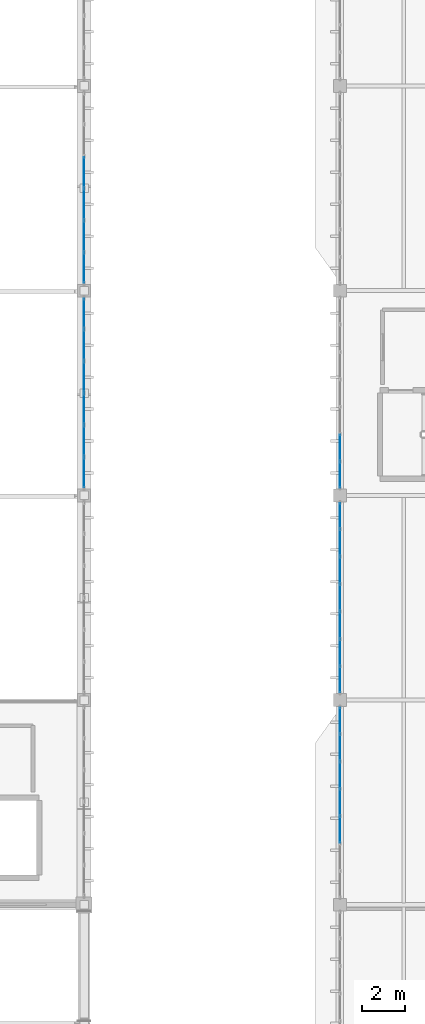
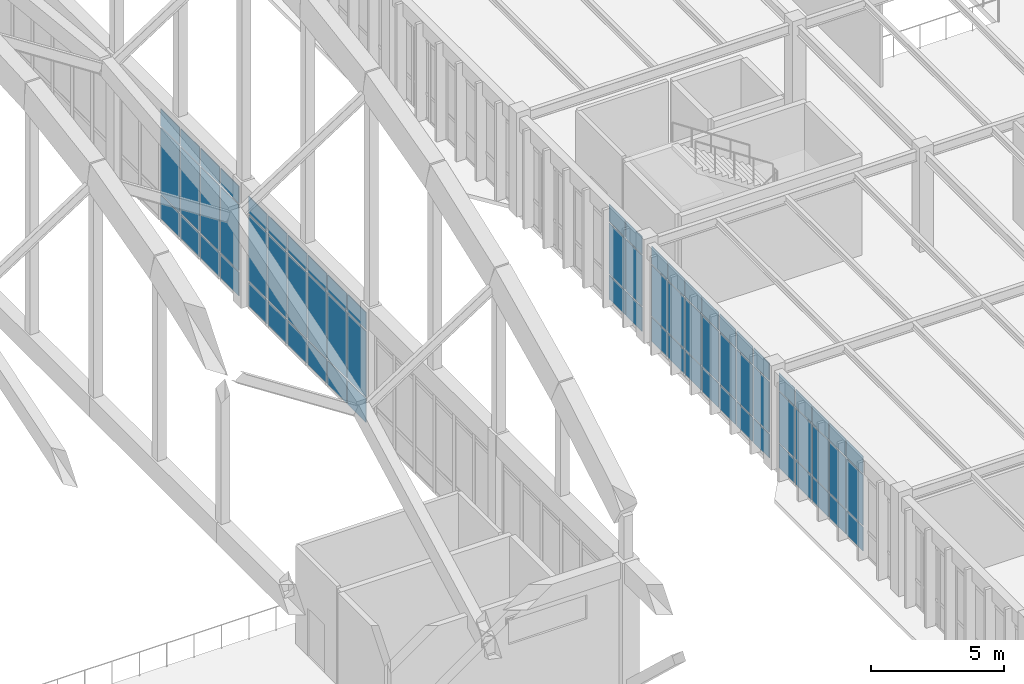
# One storey, part 202 of 236: 72 plates, 5 elements without a shape of their own.
"""IFC4 building model written with IfcOpenShell, lengths in metres."""

from ifc_helpers import new_model, si_unit, direction, frame, origin, origin_2d, place, context, subcontext, project, spatial, rectangle, extrude, material, layer, layer_set, type_object, element, aggregate, save


model = new_model("IFC4")

# Units and contexts
model_context = context("Model", 3, precision=1e-05, world=origin(), true_north=direction((0.0, 1.0)))
body_context = subcontext(model_context, "Body", "Model", "MODEL_VIEW")
ifc_project = project(units=[si_unit("LENGTHUNIT", "METRE"), si_unit("AREAUNIT", "SQUARE_METRE"), si_unit("VOLUMEUNIT", "CUBIC_METRE"), si_unit("PLANEANGLEUNIT", "RADIAN"), si_unit("MASSUNIT", "GRAM", prefix="KILO")], contexts=[model_context])

# Site, building, storey
site_placement = place(None, origin())
site = spatial("IfcSite", under=ifc_project, at=site_placement, CompositionType="ELEMENT")
building_placement = place(site_placement, origin())
building = spatial("IfcBuilding", under=site, at=building_placement, Name="Pandanus Reach Market Hall", CompositionType="ELEMENT")
storey_placement = place(building_placement, frame((0.0, 0.0, 5.39990234375)))
storey = spatial("IfcBuildingStorey", under=building, at=storey_placement, Name="L01", CompositionType="ELEMENT", Elevation=5.39990234375)

# Curtain wall, plates
ifc_material_1 = material(Name="Bronze anodised aluminium and low-E glass", Category="aluminium")
ifc_layer_1 = layer(ifc_material_1, 0.159912109375, Name="CW-29")
ifc_layer_set_1 = layer_set([ifc_layer_1], Name="Bronze anodised aluminium and low-E glass")
curtain_wall_type_1 = type_object("IfcCurtainWallType", Name="CW-29", PredefinedType="NOTDEFINED", material=ifc_layer_set_1)
curtain_wall_1_placement = place(storey_placement, origin())
curtain_wall_1 = element("IfcCurtainWall", 1, at=curtain_wall_1_placement, inside=storey, type_object=curtain_wall_type_1, Name="Glazed curtain wall CW-29 CW-0093", PredefinedType="NOTDEFINED")
ifc_material_2 = material(Name="Solar-control double glazing", Category="glass")
ifc_layer_2 = layer(ifc_material_2, 0.028076171875, Name="CW-P1")
ifc_layer_set_2 = layer_set([ifc_layer_2], Name="Solar-control double glazing")
plate_type_1 = type_object("IfcPlateType", Name="CW-P1", PredefinedType="CURTAIN_PANEL", material=ifc_layer_set_2)
plate_1_placement = place(storey_placement, frame((144.0, 32.314208984375, 0.065185546875), z_axis=(0.0, 0.0, 1.0), x_axis=(0.0, 1.0, 0.0)))
plate_1 = element("IfcPlate", 2, at=plate_1_placement, type_object=plate_type_1, Name="CW-29 panel 3.1", PredefinedType="CURTAIN_PANEL", context=body_context, shape_type="SweptSolid", body=[
    extrude(rectangle(XDim=1.220703125, YDim=0.028076171875, at=origin_2d()), origin(), (0.0, 0.0, 1.0), 1.1025390625),
])
plate_2_placement = place(storey_placement, frame((144.0, 32.314208984375, 1.232666015625), z_axis=(0.0, 0.0, 1.0), x_axis=(0.0, 1.0, 0.0)))
plate_2 = element("IfcPlate", 3, at=plate_2_placement, type_object=plate_type_1, Name="CW-29 panel 3.2", PredefinedType="CURTAIN_PANEL", context=body_context, shape_type="SweptSolid", body=[
    extrude(rectangle(XDim=1.220703125, YDim=0.028076171875, at=origin_2d()), origin(), (0.0, 0.0, 1.0), 2.3349609375),
])
plate_3_placement = place(storey_placement, frame((144.0, 32.314208984375, 3.6328125), z_axis=(0.0, 0.0, 1.0), x_axis=(0.0, 1.0, 0.0)))
plate_3 = element("IfcPlate", 4, at=plate_3_placement, type_object=plate_type_1, Name="CW-29 panel 3.3", PredefinedType="CURTAIN_PANEL", context=body_context, shape_type="SweptSolid", body=[
    extrude(rectangle(XDim=1.220703125, YDim=0.028076171875, at=origin_2d()), origin(), (0.0, 0.0, 1.0), 0.802490234375),
])
plate_4_placement = place(storey_placement, frame((144.0, 33.60009765625, 0.065185546875), z_axis=(0.0, 0.0, 1.0), x_axis=(0.0, 1.0, 0.0)))
plate_4 = element("IfcPlate", 5, at=plate_4_placement, type_object=plate_type_1, Name="CW-29 panel 4.1", PredefinedType="CURTAIN_PANEL", context=body_context, shape_type="SweptSolid", body=[
    extrude(rectangle(XDim=1.220703125, YDim=0.028076171875, at=origin_2d()), origin(), (0.0, 0.0, 1.0), 1.1025390625),
])
plate_5_placement = place(storey_placement, frame((144.0, 33.60009765625, 1.232666015625), z_axis=(0.0, 0.0, 1.0), x_axis=(0.0, 1.0, 0.0)))
plate_5 = element("IfcPlate", 6, at=plate_5_placement, type_object=plate_type_1, Name="CW-29 panel 4.2", PredefinedType="CURTAIN_PANEL", context=body_context, shape_type="SweptSolid", body=[
    extrude(rectangle(XDim=1.220703125, YDim=0.028076171875, at=origin_2d()), origin(), (0.0, 0.0, 1.0), 2.3349609375),
])
plate_6_placement = place(storey_placement, frame((144.0, 33.60009765625, 3.6328125), z_axis=(0.0, 0.0, 1.0), x_axis=(0.0, 1.0, 0.0)))
plate_6 = element("IfcPlate", 7, at=plate_6_placement, type_object=plate_type_1, Name="CW-29 panel 4.3", PredefinedType="CURTAIN_PANEL", context=body_context, shape_type="SweptSolid", body=[
    extrude(rectangle(XDim=1.220703125, YDim=0.028076171875, at=origin_2d()), origin(), (0.0, 0.0, 1.0), 0.802490234375),
])
plate_7_placement = place(storey_placement, frame((144.0, 34.8857421875, 0.065185546875), z_axis=(0.0, 0.0, 1.0), x_axis=(0.0, 1.0, 0.0)))
plate_7 = element("IfcPlate", 8, at=plate_7_placement, type_object=plate_type_1, Name="CW-29 panel 5.1", PredefinedType="CURTAIN_PANEL", context=body_context, shape_type="SweptSolid", body=[
    extrude(rectangle(XDim=1.220703125, YDim=0.028076171875, at=origin_2d()), origin(), (0.0, 0.0, 1.0), 1.1025390625),
])
plate_8_placement = place(storey_placement, frame((144.0, 34.8857421875, 1.232666015625), z_axis=(0.0, 0.0, 1.0), x_axis=(0.0, 1.0, 0.0)))
plate_8 = element("IfcPlate", 9, at=plate_8_placement, type_object=plate_type_1, Name="CW-29 panel 5.2", PredefinedType="CURTAIN_PANEL", context=body_context, shape_type="SweptSolid", body=[
    extrude(rectangle(XDim=1.220703125, YDim=0.028076171875, at=origin_2d()), origin(), (0.0, 0.0, 1.0), 2.3349609375),
])
plate_9_placement = place(storey_placement, frame((144.0, 34.8857421875, 3.6328125), z_axis=(0.0, 0.0, 1.0), x_axis=(0.0, 1.0, 0.0)))
plate_9 = element("IfcPlate", 10, at=plate_9_placement, type_object=plate_type_1, Name="CW-29 panel 5.3", PredefinedType="CURTAIN_PANEL", context=body_context, shape_type="SweptSolid", body=[
    extrude(rectangle(XDim=1.220703125, YDim=0.028076171875, at=origin_2d()), origin(), (0.0, 0.0, 1.0), 0.802490234375),
])
plate_10_placement = place(storey_placement, frame((144.0, 36.17138671875, 0.065185546875), z_axis=(0.0, 0.0, 1.0), x_axis=(0.0, 1.0, 0.0)))
plate_10 = element("IfcPlate", 11, at=plate_10_placement, type_object=plate_type_1, Name="CW-29 panel 6.1", PredefinedType="CURTAIN_PANEL", context=body_context, shape_type="SweptSolid", body=[
    extrude(rectangle(XDim=1.220703125, YDim=0.028076171875, at=origin_2d()), origin(), (0.0, 0.0, 1.0), 1.1025390625),
])
plate_11_placement = place(storey_placement, frame((144.0, 36.17138671875, 1.232666015625), z_axis=(0.0, 0.0, 1.0), x_axis=(0.0, 1.0, 0.0)))
plate_11 = element("IfcPlate", 12, at=plate_11_placement, type_object=plate_type_1, Name="CW-29 panel 6.2", PredefinedType="CURTAIN_PANEL", context=body_context, shape_type="SweptSolid", body=[
    extrude(rectangle(XDim=1.220703125, YDim=0.028076171875, at=origin_2d()), origin(), (0.0, 0.0, 1.0), 2.3349609375),
])
plate_12_placement = place(storey_placement, frame((144.0, 36.17138671875, 3.6328125), z_axis=(0.0, 0.0, 1.0), x_axis=(0.0, 1.0, 0.0)))
plate_12 = element("IfcPlate", 13, at=plate_12_placement, type_object=plate_type_1, Name="CW-29 panel 6.3", PredefinedType="CURTAIN_PANEL", context=body_context, shape_type="SweptSolid", body=[
    extrude(rectangle(XDim=1.220703125, YDim=0.028076171875, at=origin_2d()), origin(), (0.0, 0.0, 1.0), 0.802490234375),
])
plate_13_placement = place(storey_placement, frame((144.0, 37.44091796875, 0.065185546875), z_axis=(0.0, 0.0, 1.0), x_axis=(0.0, 1.0, 0.0)))
plate_13 = element("IfcPlate", 14, at=plate_13_placement, type_object=plate_type_1, Name="CW-29 panel 7.1", PredefinedType="CURTAIN_PANEL", context=body_context, shape_type="SweptSolid", body=[
    extrude(rectangle(XDim=1.188232421875, YDim=0.028076171875, at=origin_2d()), origin(), (0.0, 0.0, 1.0), 1.1025390625),
])
plate_14_placement = place(storey_placement, frame((144.0, 37.44091796875, 1.232666015625), z_axis=(0.0, 0.0, 1.0), x_axis=(0.0, 1.0, 0.0)))
plate_14 = element("IfcPlate", 15, at=plate_14_placement, type_object=plate_type_1, Name="CW-29 panel 7.2", PredefinedType="CURTAIN_PANEL", context=body_context, shape_type="SweptSolid", body=[
    extrude(rectangle(XDim=1.188232421875, YDim=0.028076171875, at=origin_2d()), origin(), (0.0, 0.0, 1.0), 2.3349609375),
])
plate_15_placement = place(storey_placement, frame((144.0, 37.44091796875, 3.6328125), z_axis=(0.0, 0.0, 1.0), x_axis=(0.0, 1.0, 0.0)))
plate_15 = element("IfcPlate", 16, at=plate_15_placement, type_object=plate_type_1, Name="CW-29 panel 7.3", PredefinedType="CURTAIN_PANEL", context=body_context, shape_type="SweptSolid", body=[
    extrude(rectangle(XDim=1.188232421875, YDim=0.028076171875, at=origin_2d()), origin(), (0.0, 0.0, 1.0), 0.802490234375),
])
aggregate(curtain_wall_1, [plate_1, plate_2, plate_3, plate_4, plate_5, plate_6, plate_7, plate_8, plate_9, plate_10, plate_11, plate_12, plate_13, plate_14, plate_15])

curtain_wall_2_placement = place(storey_placement, origin())
curtain_wall_2 = element("IfcCurtainWall", 17, at=curtain_wall_2_placement, inside=storey, type_object=curtain_wall_type_1, Name="Glazed curtain wall CW-29 CW-0094", PredefinedType="NOTDEFINED")
plate_16_placement = place(storey_placement, frame((144.0, 39.359130859375, 0.065185546875), z_axis=(0.0, 0.0, 1.0), x_axis=(0.0, 1.0, 0.0)))
plate_16 = element("IfcPlate", 18, at=plate_16_placement, type_object=plate_type_1, Name="CW-29 panel 1.1", PredefinedType="CURTAIN_PANEL", context=body_context, shape_type="SweptSolid", body=[
    extrude(rectangle(XDim=1.188232421875, YDim=0.028076171875, at=origin_2d()), origin(), (0.0, 0.0, 1.0), 1.1025390625),
])
plate_17_placement = place(storey_placement, frame((144.0, 39.359130859375, 1.232666015625), z_axis=(0.0, 0.0, 1.0), x_axis=(0.0, 1.0, 0.0)))
plate_17 = element("IfcPlate", 19, at=plate_17_placement, type_object=plate_type_1, Name="CW-29 panel 1.2", PredefinedType="CURTAIN_PANEL", context=body_context, shape_type="SweptSolid", body=[
    extrude(rectangle(XDim=1.188232421875, YDim=0.028076171875, at=origin_2d()), origin(), (0.0, 0.0, 1.0), 2.3349609375),
])
plate_18_placement = place(storey_placement, frame((144.0, 39.359130859375, 3.6328125), z_axis=(0.0, 0.0, 1.0), x_axis=(0.0, 1.0, 0.0)))
plate_18 = element("IfcPlate", 20, at=plate_18_placement, type_object=plate_type_1, Name="CW-29 panel 1.3", PredefinedType="CURTAIN_PANEL", context=body_context, shape_type="SweptSolid", body=[
    extrude(rectangle(XDim=1.188232421875, YDim=0.028076171875, at=origin_2d()), origin(), (0.0, 0.0, 1.0), 0.802490234375),
])
plate_19_placement = place(storey_placement, frame((144.0, 40.628662109375, 0.065185546875), z_axis=(0.0, 0.0, 1.0), x_axis=(0.0, 1.0, 0.0)))
plate_19 = element("IfcPlate", 21, at=plate_19_placement, type_object=plate_type_1, Name="CW-29 panel 2.1", PredefinedType="CURTAIN_PANEL", context=body_context, shape_type="SweptSolid", body=[
    extrude(rectangle(XDim=1.220703125, YDim=0.028076171875, at=origin_2d()), origin(), (0.0, 0.0, 1.0), 1.1025390625),
])
plate_20_placement = place(storey_placement, frame((144.0, 40.628662109375, 1.232666015625), z_axis=(0.0, 0.0, 1.0), x_axis=(0.0, 1.0, 0.0)))
plate_20 = element("IfcPlate", 22, at=plate_20_placement, type_object=plate_type_1, Name="CW-29 panel 2.2", PredefinedType="CURTAIN_PANEL", context=body_context, shape_type="SweptSolid", body=[
    extrude(rectangle(XDim=1.220703125, YDim=0.028076171875, at=origin_2d()), origin(), (0.0, 0.0, 1.0), 2.3349609375),
])
plate_21_placement = place(storey_placement, frame((144.0, 40.628662109375, 3.6328125), z_axis=(0.0, 0.0, 1.0), x_axis=(0.0, 1.0, 0.0)))
plate_21 = element("IfcPlate", 23, at=plate_21_placement, type_object=plate_type_1, Name="CW-29 panel 2.3", PredefinedType="CURTAIN_PANEL", context=body_context, shape_type="SweptSolid", body=[
    extrude(rectangle(XDim=1.220703125, YDim=0.028076171875, at=origin_2d()), origin(), (0.0, 0.0, 1.0), 0.802490234375),
])
plate_22_placement = place(storey_placement, frame((144.0, 41.914306640625, 0.065185546875), z_axis=(0.0, 0.0, 1.0), x_axis=(0.0, 1.0, 0.0)))
plate_22 = element("IfcPlate", 24, at=plate_22_placement, type_object=plate_type_1, Name="CW-29 panel 3.1", PredefinedType="CURTAIN_PANEL", context=body_context, shape_type="SweptSolid", body=[
    extrude(rectangle(XDim=1.220703125, YDim=0.028076171875, at=origin_2d()), origin(), (0.0, 0.0, 1.0), 1.1025390625),
])
plate_23_placement = place(storey_placement, frame((144.0, 41.914306640625, 1.232666015625), z_axis=(0.0, 0.0, 1.0), x_axis=(0.0, 1.0, 0.0)))
plate_23 = element("IfcPlate", 25, at=plate_23_placement, type_object=plate_type_1, Name="CW-29 panel 3.2", PredefinedType="CURTAIN_PANEL", context=body_context, shape_type="SweptSolid", body=[
    extrude(rectangle(XDim=1.220703125, YDim=0.028076171875, at=origin_2d()), origin(), (0.0, 0.0, 1.0), 2.3349609375),
])
plate_24_placement = place(storey_placement, frame((144.0, 41.914306640625, 3.6328125), z_axis=(0.0, 0.0, 1.0), x_axis=(0.0, 1.0, 0.0)))
plate_24 = element("IfcPlate", 26, at=plate_24_placement, type_object=plate_type_1, Name="CW-29 panel 3.3", PredefinedType="CURTAIN_PANEL", context=body_context, shape_type="SweptSolid", body=[
    extrude(rectangle(XDim=1.220703125, YDim=0.028076171875, at=origin_2d()), origin(), (0.0, 0.0, 1.0), 0.802490234375),
])
plate_25_placement = place(storey_placement, frame((144.0, 43.199951171875, 0.065185546875), z_axis=(0.0, 0.0, 1.0), x_axis=(0.0, 1.0, 0.0)))
plate_25 = element("IfcPlate", 27, at=plate_25_placement, type_object=plate_type_1, Name="CW-29 panel 4.1", PredefinedType="CURTAIN_PANEL", context=body_context, shape_type="SweptSolid", body=[
    extrude(rectangle(XDim=1.220703125, YDim=0.028076171875, at=origin_2d()), origin(), (0.0, 0.0, 1.0), 1.1025390625),
])
plate_26_placement = place(storey_placement, frame((144.0, 43.199951171875, 1.232666015625), z_axis=(0.0, 0.0, 1.0), x_axis=(0.0, 1.0, 0.0)))
plate_26 = element("IfcPlate", 28, at=plate_26_placement, type_object=plate_type_1, Name="CW-29 panel 4.2", PredefinedType="CURTAIN_PANEL", context=body_context, shape_type="SweptSolid", body=[
    extrude(rectangle(XDim=1.220703125, YDim=0.028076171875, at=origin_2d()), origin(), (0.0, 0.0, 1.0), 2.3349609375),
])
plate_27_placement = place(storey_placement, frame((144.0, 43.199951171875, 3.6328125), z_axis=(0.0, 0.0, 1.0), x_axis=(0.0, 1.0, 0.0)))
plate_27 = element("IfcPlate", 29, at=plate_27_placement, type_object=plate_type_1, Name="CW-29 panel 4.3", PredefinedType="CURTAIN_PANEL", context=body_context, shape_type="SweptSolid", body=[
    extrude(rectangle(XDim=1.220703125, YDim=0.028076171875, at=origin_2d()), origin(), (0.0, 0.0, 1.0), 0.802490234375),
])
plate_28_placement = place(storey_placement, frame((144.0, 44.485595703125, 0.065185546875), z_axis=(0.0, 0.0, 1.0), x_axis=(0.0, 1.0, 0.0)))
plate_28 = element("IfcPlate", 30, at=plate_28_placement, type_object=plate_type_1, Name="CW-29 panel 5.1", PredefinedType="CURTAIN_PANEL", context=body_context, shape_type="SweptSolid", body=[
    extrude(rectangle(XDim=1.220703125, YDim=0.028076171875, at=origin_2d()), origin(), (0.0, 0.0, 1.0), 1.1025390625),
])
plate_29_placement = place(storey_placement, frame((144.0, 44.485595703125, 1.232666015625), z_axis=(0.0, 0.0, 1.0), x_axis=(0.0, 1.0, 0.0)))
plate_29 = element("IfcPlate", 31, at=plate_29_placement, type_object=plate_type_1, Name="CW-29 panel 5.2", PredefinedType="CURTAIN_PANEL", context=body_context, shape_type="SweptSolid", body=[
    extrude(rectangle(XDim=1.220703125, YDim=0.028076171875, at=origin_2d()), origin(), (0.0, 0.0, 1.0), 2.3349609375),
])
plate_30_placement = place(storey_placement, frame((144.0, 44.485595703125, 3.6328125), z_axis=(0.0, 0.0, 1.0), x_axis=(0.0, 1.0, 0.0)))
plate_30 = element("IfcPlate", 32, at=plate_30_placement, type_object=plate_type_1, Name="CW-29 panel 5.3", PredefinedType="CURTAIN_PANEL", context=body_context, shape_type="SweptSolid", body=[
    extrude(rectangle(XDim=1.220703125, YDim=0.028076171875, at=origin_2d()), origin(), (0.0, 0.0, 1.0), 0.802490234375),
])
plate_31_placement = place(storey_placement, frame((144.0, 45.771484375, 0.065185546875), z_axis=(0.0, 0.0, 1.0), x_axis=(0.0, 1.0, 0.0)))
plate_31 = element("IfcPlate", 33, at=plate_31_placement, type_object=plate_type_1, Name="CW-29 panel 6.1", PredefinedType="CURTAIN_PANEL", context=body_context, shape_type="SweptSolid", body=[
    extrude(rectangle(XDim=1.220703125, YDim=0.028076171875, at=origin_2d()), origin(), (0.0, 0.0, 1.0), 1.1025390625),
])
plate_32_placement = place(storey_placement, frame((144.0, 45.771484375, 1.232666015625), z_axis=(0.0, 0.0, 1.0), x_axis=(0.0, 1.0, 0.0)))
plate_32 = element("IfcPlate", 34, at=plate_32_placement, type_object=plate_type_1, Name="CW-29 panel 6.2", PredefinedType="CURTAIN_PANEL", context=body_context, shape_type="SweptSolid", body=[
    extrude(rectangle(XDim=1.220703125, YDim=0.028076171875, at=origin_2d()), origin(), (0.0, 0.0, 1.0), 2.3349609375),
])
plate_33_placement = place(storey_placement, frame((144.0, 45.771484375, 3.6328125), z_axis=(0.0, 0.0, 1.0), x_axis=(0.0, 1.0, 0.0)))
plate_33 = element("IfcPlate", 35, at=plate_33_placement, type_object=plate_type_1, Name="CW-29 panel 6.3", PredefinedType="CURTAIN_PANEL", context=body_context, shape_type="SweptSolid", body=[
    extrude(rectangle(XDim=1.220703125, YDim=0.028076171875, at=origin_2d()), origin(), (0.0, 0.0, 1.0), 0.802490234375),
])
plate_34_placement = place(storey_placement, frame((144.0, 47.040771484375, 0.065185546875), z_axis=(0.0, 0.0, 1.0), x_axis=(0.0, 1.0, 0.0)))
plate_34 = element("IfcPlate", 36, at=plate_34_placement, type_object=plate_type_1, Name="CW-29 panel 7.1", PredefinedType="CURTAIN_PANEL", context=body_context, shape_type="SweptSolid", body=[
    extrude(rectangle(XDim=1.188232421875, YDim=0.028076171875, at=origin_2d()), origin(), (0.0, 0.0, 1.0), 1.1025390625),
])
plate_35_placement = place(storey_placement, frame((144.0, 47.040771484375, 1.232666015625), z_axis=(0.0, 0.0, 1.0), x_axis=(0.0, 1.0, 0.0)))
plate_35 = element("IfcPlate", 37, at=plate_35_placement, type_object=plate_type_1, Name="CW-29 panel 7.2", PredefinedType="CURTAIN_PANEL", context=body_context, shape_type="SweptSolid", body=[
    extrude(rectangle(XDim=1.188232421875, YDim=0.028076171875, at=origin_2d()), origin(), (0.0, 0.0, 1.0), 2.3349609375),
])
plate_36_placement = place(storey_placement, frame((144.0, 47.040771484375, 3.6328125), z_axis=(0.0, 0.0, 1.0), x_axis=(0.0, 1.0, 0.0)))
plate_36 = element("IfcPlate", 38, at=plate_36_placement, type_object=plate_type_1, Name="CW-29 panel 7.3", PredefinedType="CURTAIN_PANEL", context=body_context, shape_type="SweptSolid", body=[
    extrude(rectangle(XDim=1.188232421875, YDim=0.028076171875, at=origin_2d()), origin(), (0.0, 0.0, 1.0), 0.802490234375),
])
aggregate(curtain_wall_2, [plate_16, plate_17, plate_18, plate_19, plate_20, plate_21, plate_22, plate_23, plate_24, plate_25, plate_26, plate_27, plate_28, plate_29, plate_30, plate_31, plate_32, plate_33, plate_34, plate_35, plate_36])

curtain_wall_3_placement = place(storey_placement, origin())
curtain_wall_3 = element("IfcCurtainWall", 39, at=curtain_wall_3_placement, inside=storey, type_object=curtain_wall_type_1, Name="Glazed curtain wall CW-29 CW-0095", PredefinedType="NOTDEFINED")
plate_37_placement = place(storey_placement, frame((144.0, 48.959228515625, 0.065185546875), z_axis=(0.0, 0.0, 1.0), x_axis=(0.0, 1.0, 0.0)))
plate_37 = element("IfcPlate", 40, at=plate_37_placement, type_object=plate_type_1, Name="CW-29 panel 1.1", PredefinedType="CURTAIN_PANEL", context=body_context, shape_type="SweptSolid", body=[
    extrude(rectangle(XDim=1.188232421875, YDim=0.028076171875, at=origin_2d()), origin(), (0.0, 0.0, 1.0), 1.1025390625),
])
plate_38_placement = place(storey_placement, frame((144.0, 48.959228515625, 1.232666015625), z_axis=(0.0, 0.0, 1.0), x_axis=(0.0, 1.0, 0.0)))
plate_38 = element("IfcPlate", 41, at=plate_38_placement, type_object=plate_type_1, Name="CW-29 panel 1.2", PredefinedType="CURTAIN_PANEL", context=body_context, shape_type="SweptSolid", body=[
    extrude(rectangle(XDim=1.188232421875, YDim=0.028076171875, at=origin_2d()), origin(), (0.0, 0.0, 1.0), 2.3349609375),
])
plate_39_placement = place(storey_placement, frame((144.0, 48.959228515625, 3.6328125), z_axis=(0.0, 0.0, 1.0), x_axis=(0.0, 1.0, 0.0)))
plate_39 = element("IfcPlate", 42, at=plate_39_placement, type_object=plate_type_1, Name="CW-29 panel 1.3", PredefinedType="CURTAIN_PANEL", context=body_context, shape_type="SweptSolid", body=[
    extrude(rectangle(XDim=1.188232421875, YDim=0.028076171875, at=origin_2d()), origin(), (0.0, 0.0, 1.0), 0.802490234375),
])
plate_40_placement = place(storey_placement, frame((144.0, 50.228515625, 0.065185546875), z_axis=(0.0, 0.0, 1.0), x_axis=(0.0, 1.0, 0.0)))
plate_40 = element("IfcPlate", 43, at=plate_40_placement, type_object=plate_type_1, Name="CW-29 panel 2.1", PredefinedType="CURTAIN_PANEL", context=body_context, shape_type="SweptSolid", body=[
    extrude(rectangle(XDim=1.220703125, YDim=0.028076171875, at=origin_2d()), origin(), (0.0, 0.0, 1.0), 1.1025390625),
])
plate_41_placement = place(storey_placement, frame((144.0, 50.228515625, 1.232666015625), z_axis=(0.0, 0.0, 1.0), x_axis=(0.0, 1.0, 0.0)))
plate_41 = element("IfcPlate", 44, at=plate_41_placement, type_object=plate_type_1, Name="CW-29 panel 2.2", PredefinedType="CURTAIN_PANEL", context=body_context, shape_type="SweptSolid", body=[
    extrude(rectangle(XDim=1.220703125, YDim=0.028076171875, at=origin_2d()), origin(), (0.0, 0.0, 1.0), 2.3349609375),
])
plate_42_placement = place(storey_placement, frame((144.0, 50.228515625, 3.6328125), z_axis=(0.0, 0.0, 1.0), x_axis=(0.0, 1.0, 0.0)))
plate_42 = element("IfcPlate", 45, at=plate_42_placement, type_object=plate_type_1, Name="CW-29 panel 2.3", PredefinedType="CURTAIN_PANEL", context=body_context, shape_type="SweptSolid", body=[
    extrude(rectangle(XDim=1.220703125, YDim=0.028076171875, at=origin_2d()), origin(), (0.0, 0.0, 1.0), 0.802490234375),
])
aggregate(curtain_wall_3, [plate_37, plate_38, plate_39, plate_40, plate_41, plate_42])

ifc_layer_3 = layer(ifc_material_1, 0.199951171875, Name="CW-05")
ifc_layer_set_3 = layer_set([ifc_layer_3], Name="Bronze anodised aluminium and low-E glass")
curtain_wall_type_2 = type_object("IfcCurtainWallType", Name="CW-05", PredefinedType="NOTDEFINED", material=ifc_layer_set_3)
curtain_wall_4_placement = place(storey_placement, origin())
curtain_wall_4 = element("IfcCurtainWall", 46, at=curtain_wall_4_placement, inside=storey, type_object=curtain_wall_type_2, Name="Glazed curtain wall CW-05 CW-0027", PredefinedType="NOTDEFINED")
ifc_material_3 = material(Name="Acoustic laminated solar double glazing", Category="glass")
ifc_layer_4 = layer(ifc_material_3, 0.031982421875, Name="CW-P2")
ifc_layer_set_4 = layer_set([ifc_layer_4], Name="Acoustic laminated solar double glazing")
plate_type_2 = type_object("IfcPlateType", Name="CW-P2", PredefinedType="CURTAIN_PANEL", material=ifc_layer_set_4)
plate_43_placement = place(storey_placement, frame((132.0, 49.06884765625, 0.0751953125), z_axis=(0.0, 0.0, 1.0), x_axis=(0.0, 1.0, 0.0)))
plate_43 = element("IfcPlate", 47, at=plate_43_placement, type_object=plate_type_2, Name="CW-05 panel 1.1", PredefinedType="CURTAIN_PANEL", context=body_context, shape_type="SweptSolid", body=[
    extrude(rectangle(XDim=1.387451171875, YDim=0.031982421875, at=origin_2d()), origin(), (0.0, 0.0, 1.0), 1.08740234375),
])
plate_44_placement = place(storey_placement, frame((132.0, 49.06884765625, 1.237548828125), z_axis=(0.0, 0.0, 1.0), x_axis=(0.0, 1.0, 0.0)))
plate_44 = element("IfcPlate", 48, at=plate_44_placement, type_object=plate_type_2, Name="CW-05 panel 1.2", PredefinedType="CURTAIN_PANEL", context=body_context, shape_type="SweptSolid", body=[
    extrude(rectangle(XDim=1.387451171875, YDim=0.031982421875, at=origin_2d()), origin(), (0.0, 0.0, 1.0), 3.02490234375),
])
plate_45_placement = place(storey_placement, frame((132.0, 49.06884765625, 4.337646484375), z_axis=(0.0, 0.0, 1.0), x_axis=(0.0, 1.0, 0.0)))
plate_45 = element("IfcPlate", 49, at=plate_45_placement, type_object=plate_type_2, Name="CW-05 panel 1.3", PredefinedType="CURTAIN_PANEL", context=body_context, shape_type="SweptSolid", body=[
    extrude(rectangle(XDim=1.387451171875, YDim=0.031982421875, at=origin_2d()), origin(), (0.0, 0.0, 1.0), 0.78759765625),
])
plate_46_placement = place(storey_placement, frame((132.0, 50.550048828125, 0.0751953125), z_axis=(0.0, 0.0, 1.0), x_axis=(0.0, 1.0, 0.0)))
plate_46 = element("IfcPlate", 50, at=plate_46_placement, type_object=plate_type_2, Name="CW-05 panel 2.1", PredefinedType="CURTAIN_PANEL", context=body_context, shape_type="SweptSolid", body=[
    extrude(rectangle(XDim=1.425048828125, YDim=0.031982421875, at=origin_2d()), origin(), (0.0, 0.0, 1.0), 1.08740234375),
])
plate_47_placement = place(storey_placement, frame((132.0, 50.550048828125, 1.237548828125), z_axis=(0.0, 0.0, 1.0), x_axis=(0.0, 1.0, 0.0)))
plate_47 = element("IfcPlate", 51, at=plate_47_placement, type_object=plate_type_2, Name="CW-05 panel 2.2", PredefinedType="CURTAIN_PANEL", context=body_context, shape_type="SweptSolid", body=[
    extrude(rectangle(XDim=1.425048828125, YDim=0.031982421875, at=origin_2d()), origin(), (0.0, 0.0, 1.0), 3.02490234375),
])
plate_48_placement = place(storey_placement, frame((132.0, 50.550048828125, 4.337646484375), z_axis=(0.0, 0.0, 1.0), x_axis=(0.0, 1.0, 0.0)))
plate_48 = element("IfcPlate", 52, at=plate_48_placement, type_object=plate_type_2, Name="CW-05 panel 2.3", PredefinedType="CURTAIN_PANEL", context=body_context, shape_type="SweptSolid", body=[
    extrude(rectangle(XDim=1.425048828125, YDim=0.031982421875, at=origin_2d()), origin(), (0.0, 0.0, 1.0), 0.78759765625),
])
plate_49_placement = place(storey_placement, frame((132.0, 52.050048828125, 0.0751953125), z_axis=(0.0, 0.0, 1.0), x_axis=(0.0, 1.0, 0.0)))
plate_49 = element("IfcPlate", 53, at=plate_49_placement, type_object=plate_type_2, Name="CW-05 panel 3.1", PredefinedType="CURTAIN_PANEL", context=body_context, shape_type="SweptSolid", body=[
    extrude(rectangle(XDim=1.425048828125, YDim=0.031982421875, at=origin_2d()), origin(), (0.0, 0.0, 1.0), 1.08740234375),
])
plate_50_placement = place(storey_placement, frame((132.0, 52.050048828125, 1.237548828125), z_axis=(0.0, 0.0, 1.0), x_axis=(0.0, 1.0, 0.0)))
plate_50 = element("IfcPlate", 54, at=plate_50_placement, type_object=plate_type_2, Name="CW-05 panel 3.2", PredefinedType="CURTAIN_PANEL", context=body_context, shape_type="SweptSolid", body=[
    extrude(rectangle(XDim=1.425048828125, YDim=0.031982421875, at=origin_2d()), origin(), (0.0, 0.0, 1.0), 3.02490234375),
])
plate_51_placement = place(storey_placement, frame((132.0, 52.050048828125, 4.337646484375), z_axis=(0.0, 0.0, 1.0), x_axis=(0.0, 1.0, 0.0)))
plate_51 = element("IfcPlate", 55, at=plate_51_placement, type_object=plate_type_2, Name="CW-05 panel 3.3", PredefinedType="CURTAIN_PANEL", context=body_context, shape_type="SweptSolid", body=[
    extrude(rectangle(XDim=1.425048828125, YDim=0.031982421875, at=origin_2d()), origin(), (0.0, 0.0, 1.0), 0.78759765625),
])
plate_52_placement = place(storey_placement, frame((132.0, 53.550048828125, 0.0751953125), z_axis=(0.0, 0.0, 1.0), x_axis=(0.0, 1.0, 0.0)))
plate_52 = element("IfcPlate", 56, at=plate_52_placement, type_object=plate_type_2, Name="CW-05 panel 4.1", PredefinedType="CURTAIN_PANEL", context=body_context, shape_type="SweptSolid", body=[
    extrude(rectangle(XDim=1.425048828125, YDim=0.031982421875, at=origin_2d()), origin(), (0.0, 0.0, 1.0), 1.08740234375),
])
plate_53_placement = place(storey_placement, frame((132.0, 53.550048828125, 1.237548828125), z_axis=(0.0, 0.0, 1.0), x_axis=(0.0, 1.0, 0.0)))
plate_53 = element("IfcPlate", 57, at=plate_53_placement, type_object=plate_type_2, Name="CW-05 panel 4.2", PredefinedType="CURTAIN_PANEL", context=body_context, shape_type="SweptSolid", body=[
    extrude(rectangle(XDim=1.425048828125, YDim=0.031982421875, at=origin_2d()), origin(), (0.0, 0.0, 1.0), 3.02490234375),
])
plate_54_placement = place(storey_placement, frame((132.0, 53.550048828125, 4.337646484375), z_axis=(0.0, 0.0, 1.0), x_axis=(0.0, 1.0, 0.0)))
plate_54 = element("IfcPlate", 58, at=plate_54_placement, type_object=plate_type_2, Name="CW-05 panel 4.3", PredefinedType="CURTAIN_PANEL", context=body_context, shape_type="SweptSolid", body=[
    extrude(rectangle(XDim=1.425048828125, YDim=0.031982421875, at=origin_2d()), origin(), (0.0, 0.0, 1.0), 0.78759765625),
])
plate_55_placement = place(storey_placement, frame((132.0, 55.050048828125, 0.0751953125), z_axis=(0.0, 0.0, 1.0), x_axis=(0.0, 1.0, 0.0)))
plate_55 = element("IfcPlate", 59, at=plate_55_placement, type_object=plate_type_2, Name="CW-05 panel 5.1", PredefinedType="CURTAIN_PANEL", context=body_context, shape_type="SweptSolid", body=[
    extrude(rectangle(XDim=1.425048828125, YDim=0.031982421875, at=origin_2d()), origin(), (0.0, 0.0, 1.0), 1.08740234375),
])
plate_56_placement = place(storey_placement, frame((132.0, 55.050048828125, 1.237548828125), z_axis=(0.0, 0.0, 1.0), x_axis=(0.0, 1.0, 0.0)))
plate_56 = element("IfcPlate", 60, at=plate_56_placement, type_object=plate_type_2, Name="CW-05 panel 5.2", PredefinedType="CURTAIN_PANEL", context=body_context, shape_type="SweptSolid", body=[
    extrude(rectangle(XDim=1.425048828125, YDim=0.031982421875, at=origin_2d()), origin(), (0.0, 0.0, 1.0), 3.02490234375),
])
plate_57_placement = place(storey_placement, frame((132.0, 55.050048828125, 4.337646484375), z_axis=(0.0, 0.0, 1.0), x_axis=(0.0, 1.0, 0.0)))
plate_57 = element("IfcPlate", 61, at=plate_57_placement, type_object=plate_type_2, Name="CW-05 panel 5.3", PredefinedType="CURTAIN_PANEL", context=body_context, shape_type="SweptSolid", body=[
    extrude(rectangle(XDim=1.425048828125, YDim=0.031982421875, at=origin_2d()), origin(), (0.0, 0.0, 1.0), 0.78759765625),
])
plate_58_placement = place(storey_placement, frame((132.0, 56.53125, 0.0751953125), z_axis=(0.0, 0.0, 1.0), x_axis=(0.0, 1.0, 0.0)))
plate_58 = element("IfcPlate", 62, at=plate_58_placement, type_object=plate_type_2, Name="CW-05 panel 6.1", PredefinedType="CURTAIN_PANEL", context=body_context, shape_type="SweptSolid", body=[
    extrude(rectangle(XDim=1.387451171875, YDim=0.031982421875, at=origin_2d()), origin(), (0.0, 0.0, 1.0), 1.08740234375),
])
plate_59_placement = place(storey_placement, frame((132.0, 56.53125, 1.237548828125), z_axis=(0.0, 0.0, 1.0), x_axis=(0.0, 1.0, 0.0)))
plate_59 = element("IfcPlate", 63, at=plate_59_placement, type_object=plate_type_2, Name="CW-05 panel 6.2", PredefinedType="CURTAIN_PANEL", context=body_context, shape_type="SweptSolid", body=[
    extrude(rectangle(XDim=1.387451171875, YDim=0.031982421875, at=origin_2d()), origin(), (0.0, 0.0, 1.0), 3.02490234375),
])
plate_60_placement = place(storey_placement, frame((132.0, 56.53125, 4.337646484375), z_axis=(0.0, 0.0, 1.0), x_axis=(0.0, 1.0, 0.0)))
plate_60 = element("IfcPlate", 64, at=plate_60_placement, type_object=plate_type_2, Name="CW-05 panel 6.3", PredefinedType="CURTAIN_PANEL", context=body_context, shape_type="SweptSolid", body=[
    extrude(rectangle(XDim=1.387451171875, YDim=0.031982421875, at=origin_2d()), origin(), (0.0, 0.0, 1.0), 0.78759765625),
])
aggregate(curtain_wall_4, [plate_43, plate_44, plate_45, plate_46, plate_47, plate_48, plate_49, plate_50, plate_51, plate_52, plate_53, plate_54, plate_55, plate_56, plate_57, plate_58, plate_59, plate_60])

curtain_wall_5_placement = place(storey_placement, origin())
curtain_wall_5 = element("IfcCurtainWall", 65, at=curtain_wall_5_placement, inside=storey, type_object=curtain_wall_type_2, Name="Glazed curtain wall CW-05 CW-0031", PredefinedType="NOTDEFINED")
plate_61_placement = place(storey_placement, frame((132.0, 58.668701171875, 0.0751953125), z_axis=(0.0, 0.0, 1.0), x_axis=(0.0, 1.0, 0.0)))
plate_61 = element("IfcPlate", 66, at=plate_61_placement, type_object=plate_type_2, Name="CW-05 panel 1.1", PredefinedType="CURTAIN_PANEL", context=body_context, shape_type="SweptSolid", body=[
    extrude(rectangle(XDim=1.387451171875, YDim=0.031982421875, at=origin_2d()), origin(), (0.0, 0.0, 1.0), 1.08740234375),
])
plate_62_placement = place(storey_placement, frame((132.0, 58.668701171875, 1.237548828125), z_axis=(0.0, 0.0, 1.0), x_axis=(0.0, 1.0, 0.0)))
plate_62 = element("IfcPlate", 67, at=plate_62_placement, type_object=plate_type_2, Name="CW-05 panel 1.2", PredefinedType="CURTAIN_PANEL", context=body_context, shape_type="SweptSolid", body=[
    extrude(rectangle(XDim=1.387451171875, YDim=0.031982421875, at=origin_2d()), origin(), (0.0, 0.0, 1.0), 3.02490234375),
])
plate_63_placement = place(storey_placement, frame((132.0, 58.668701171875, 4.337646484375), z_axis=(0.0, 0.0, 1.0), x_axis=(0.0, 1.0, 0.0)))
plate_63 = element("IfcPlate", 68, at=plate_63_placement, type_object=plate_type_2, Name="CW-05 panel 1.3", PredefinedType="CURTAIN_PANEL", context=body_context, shape_type="SweptSolid", body=[
    extrude(rectangle(XDim=1.387451171875, YDim=0.031982421875, at=origin_2d()), origin(), (0.0, 0.0, 1.0), 0.78759765625),
])
plate_64_placement = place(storey_placement, frame((132.0, 60.14990234375, 0.0751953125), z_axis=(0.0, 0.0, 1.0), x_axis=(0.0, 1.0, 0.0)))
plate_64 = element("IfcPlate", 69, at=plate_64_placement, type_object=plate_type_2, Name="CW-05 panel 2.1", PredefinedType="CURTAIN_PANEL", context=body_context, shape_type="SweptSolid", body=[
    extrude(rectangle(XDim=1.425048828125, YDim=0.031982421875, at=origin_2d()), origin(), (0.0, 0.0, 1.0), 1.08740234375),
])
plate_65_placement = place(storey_placement, frame((132.0, 60.14990234375, 1.237548828125), z_axis=(0.0, 0.0, 1.0), x_axis=(0.0, 1.0, 0.0)))
plate_65 = element("IfcPlate", 70, at=plate_65_placement, type_object=plate_type_2, Name="CW-05 panel 2.2", PredefinedType="CURTAIN_PANEL", context=body_context, shape_type="SweptSolid", body=[
    extrude(rectangle(XDim=1.425048828125, YDim=0.031982421875, at=origin_2d()), origin(), (0.0, 0.0, 1.0), 3.02490234375),
])
plate_66_placement = place(storey_placement, frame((132.0, 60.14990234375, 4.337646484375), z_axis=(0.0, 0.0, 1.0), x_axis=(0.0, 1.0, 0.0)))
plate_66 = element("IfcPlate", 71, at=plate_66_placement, type_object=plate_type_2, Name="CW-05 panel 2.3", PredefinedType="CURTAIN_PANEL", context=body_context, shape_type="SweptSolid", body=[
    extrude(rectangle(XDim=1.425048828125, YDim=0.031982421875, at=origin_2d()), origin(), (0.0, 0.0, 1.0), 0.78759765625),
])
plate_67_placement = place(storey_placement, frame((132.0, 61.64990234375, 0.0751953125), z_axis=(0.0, 0.0, 1.0), x_axis=(0.0, 1.0, 0.0)))
plate_67 = element("IfcPlate", 72, at=plate_67_placement, type_object=plate_type_2, Name="CW-05 panel 3.1", PredefinedType="CURTAIN_PANEL", context=body_context, shape_type="SweptSolid", body=[
    extrude(rectangle(XDim=1.425048828125, YDim=0.031982421875, at=origin_2d()), origin(), (0.0, 0.0, 1.0), 1.08740234375),
])
plate_68_placement = place(storey_placement, frame((132.0, 61.64990234375, 1.237548828125), z_axis=(0.0, 0.0, 1.0), x_axis=(0.0, 1.0, 0.0)))
plate_68 = element("IfcPlate", 73, at=plate_68_placement, type_object=plate_type_2, Name="CW-05 panel 3.2", PredefinedType="CURTAIN_PANEL", context=body_context, shape_type="SweptSolid", body=[
    extrude(rectangle(XDim=1.425048828125, YDim=0.031982421875, at=origin_2d()), origin(), (0.0, 0.0, 1.0), 3.02490234375),
])
plate_69_placement = place(storey_placement, frame((132.0, 61.64990234375, 4.337646484375), z_axis=(0.0, 0.0, 1.0), x_axis=(0.0, 1.0, 0.0)))
plate_69 = element("IfcPlate", 74, at=plate_69_placement, type_object=plate_type_2, Name="CW-05 panel 3.3", PredefinedType="CURTAIN_PANEL", context=body_context, shape_type="SweptSolid", body=[
    extrude(rectangle(XDim=1.425048828125, YDim=0.031982421875, at=origin_2d()), origin(), (0.0, 0.0, 1.0), 0.78759765625),
])
plate_70_placement = place(storey_placement, frame((132.0, 63.14990234375, 0.0751953125), z_axis=(0.0, 0.0, 1.0), x_axis=(0.0, 1.0, 0.0)))
plate_70 = element("IfcPlate", 75, at=plate_70_placement, type_object=plate_type_2, Name="CW-05 panel 4.1", PredefinedType="CURTAIN_PANEL", context=body_context, shape_type="SweptSolid", body=[
    extrude(rectangle(XDim=1.425048828125, YDim=0.031982421875, at=origin_2d()), origin(), (0.0, 0.0, 1.0), 1.08740234375),
])
plate_71_placement = place(storey_placement, frame((132.0, 63.14990234375, 1.237548828125), z_axis=(0.0, 0.0, 1.0), x_axis=(0.0, 1.0, 0.0)))
plate_71 = element("IfcPlate", 76, at=plate_71_placement, type_object=plate_type_2, Name="CW-05 panel 4.2", PredefinedType="CURTAIN_PANEL", context=body_context, shape_type="SweptSolid", body=[
    extrude(rectangle(XDim=1.425048828125, YDim=0.031982421875, at=origin_2d()), origin(), (0.0, 0.0, 1.0), 3.02490234375),
])
plate_72_placement = place(storey_placement, frame((132.0, 63.14990234375, 4.337646484375), z_axis=(0.0, 0.0, 1.0), x_axis=(0.0, 1.0, 0.0)))
plate_72 = element("IfcPlate", 77, at=plate_72_placement, type_object=plate_type_2, Name="CW-05 panel 4.3", PredefinedType="CURTAIN_PANEL", context=body_context, shape_type="SweptSolid", body=[
    extrude(rectangle(XDim=1.425048828125, YDim=0.031982421875, at=origin_2d()), origin(), (0.0, 0.0, 1.0), 0.78759765625),
])
aggregate(curtain_wall_5, [plate_61, plate_62, plate_63, plate_64, plate_65, plate_66, plate_67, plate_68, plate_69, plate_70, plate_71, plate_72])

save(model, "model.ifc")
